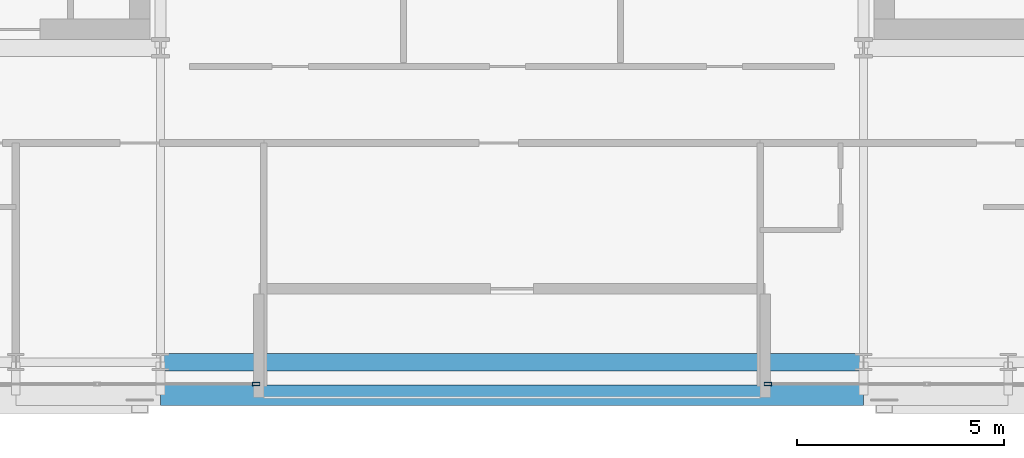
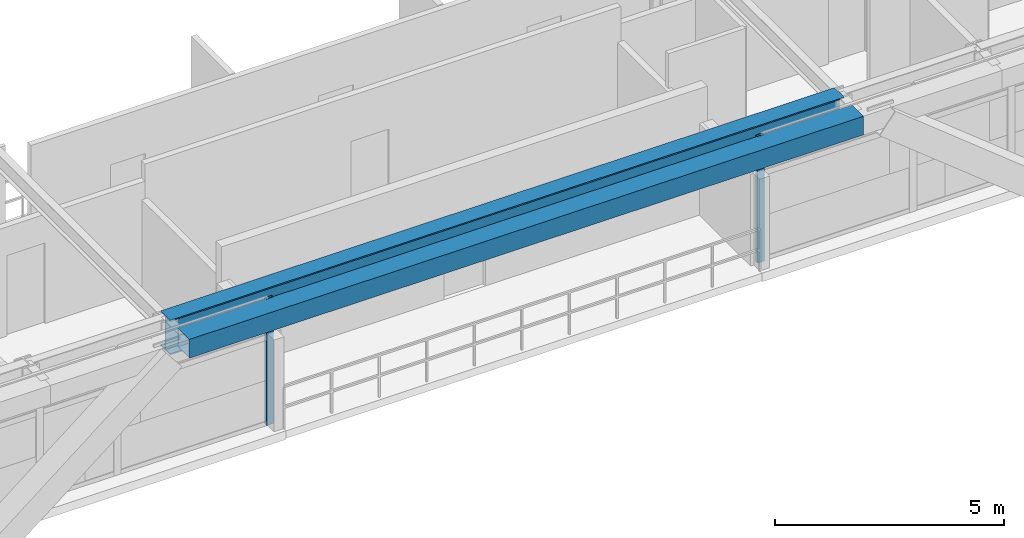
# One storey, part 6 of 32: 2 beams, 2 members, 2 elements without a shape of their own.
"""IFC4 building model written with IfcOpenShell, lengths in metres."""

from ifc_helpers import new_model, si_unit, direction, frame, origin, origin_2d, place, context, subcontext, project, spatial, hollow_rectangle, i_section, extrude, source, transform, mapped, material, layer, layer_set, material_profile, profile_set, type_object, element, aggregate, save


model = new_model("IFC4")

# Units and contexts
model_context = context("Model", 3, precision=1e-05, world=origin(), true_north=direction((0.0, 1.0)))
body_context = subcontext(model_context, "Body", "Model", "MODEL_VIEW")
ifc_project = project(units=[si_unit("LENGTHUNIT", "METRE"), si_unit("AREAUNIT", "SQUARE_METRE"), si_unit("VOLUMEUNIT", "CUBIC_METRE"), si_unit("PLANEANGLEUNIT", "RADIAN"), si_unit("MASSUNIT", "GRAM", prefix="KILO")], contexts=[model_context])

# Site, building, storey
site_placement = place(None, origin())
site = spatial("IfcSite", under=ifc_project, at=site_placement, CompositionType="ELEMENT")
building_placement = place(site_placement, origin())
building = spatial("IfcBuilding", under=site, at=building_placement, Name="Ocotamira Hotel", CompositionType="ELEMENT")
storey_placement = place(building_placement, frame((0.0, 0.0, 213.60009765625)))
storey = spatial("IfcBuildingStorey", under=building, at=storey_placement, Name="L54", CompositionType="ELEMENT", Elevation=213.60009765625)

# Beams
ifc_material_1 = material(Name="Steel ASTM A992 Grade 50", Category="steel")
ifc_material_profile_1 = material_profile(ifc_material_1, i_section(OverallWidth=0.41796875, OverallDepth=0.927001953125, WebThickness=0.019287109375, FlangeThickness=0.031982421875, FilletRadius=0.02392578125, at=origin_2d()), Name="W36X231")
ifc_profile_set_1 = profile_set([ifc_material_profile_1], Name="Steel ASTM A992 Grade 50")
beam_type_1 = type_object("IfcBeamType", Name="BM-GIRD-W36X231", PredefinedType="BEAM", material=ifc_profile_set_1)
shared_shape_1 = source(origin(), body_context, "Body", "SweptSolid", [
    extrude(i_section(OverallWidth=0.41796875, OverallDepth=0.927001953125, WebThickness=0.019287109375, FlangeThickness=0.031982421875, FilletRadius=0.02392578125, at=origin_2d()), origin(), (0.0, 0.0, 1.0), 17.0),
])
beam_1_placement = place(storey_placement, frame((23.5, 6.949951171875, 2.906494140625), z_axis=(1.0, 0.0, 0.0), x_axis=(0.0, 1.0, 0.0)))
element("IfcBeam", 1, at=beam_1_placement, inside=storey, type_object=beam_type_1, Name="L54 Girder Y6.95 X23.5-40.5", PredefinedType="BEAM", context=body_context, shape_type="MappedRepresentation", body=[
    mapped(shared_shape_1, transform((0.0, 0.0, 0.0), scale=1.0)),
])
ifc_material_2 = material(Name="Steel ASTM A500 Grade C", Category="steel")
ifc_material_profile_2 = material_profile(ifc_material_2, hollow_rectangle(XDim=0.5, YDim=0.5, WallThickness=0.02001953125, at=origin_2d()), Name="HSS500X500X20")
ifc_profile_set_2 = profile_set([ifc_material_profile_2], Name="Steel ASTM A500 Grade C")
beam_type_2 = type_object("IfcBeamType", Name="BM-SPAN-HSS500", PredefinedType="USERDEFINED", material=ifc_profile_set_2)
shared_shape_2 = source(origin(), body_context, "Body", "SweptSolid", [
    extrude(hollow_rectangle(XDim=0.5, YDim=0.5, WallThickness=0.02001953125, at=origin_2d()), origin(), (0.0, 0.0, 1.0), 17.0),
])
beam_2_placement = place(storey_placement, frame((23.5, 6.14990234375, 3.119873046875), z_axis=(1.0, 0.0, 0.0), x_axis=(0.0, 1.0, 0.0)))
element("IfcBeam", 2, at=beam_2_placement, inside=storey, type_object=beam_type_2, Name="L54 Edge Spandrel S X23.5-40.5", ObjectType="SPANDREL", PredefinedType="USERDEFINED", context=body_context, shape_type="MappedRepresentation", body=[
    mapped(shared_shape_2, transform((0.0, 0.0, 0.0), scale=1.0)),
])

# Curtain wall, member
ifc_material_3 = material(Name="Anodised pale-metal aluminium and solar glass", Category="aluminium")
ifc_layer = layer(ifc_material_3, 0.199951171875)
ifc_layer_set = layer_set([ifc_layer], Name="Anodised pale-metal aluminium and solar glass")
curtain_wall_type = type_object("IfcCurtainWallType", Name="CW-SYS4-Z3", PredefinedType="NOTDEFINED", material=ifc_layer_set)
curtain_wall_1_placement = place(storey_placement, origin())
curtain_wall_1 = element("IfcCurtainWall", 3, at=curtain_wall_1_placement, inside=storey, type_object=curtain_wall_type, Name="L54 Curtain Wall CW-4 CW-L54-S1", PredefinedType="NOTDEFINED")
ifc_material_4 = material(Name="Anodised pale-metal aluminium 6063-T6", Category="aluminium")
ifc_material_profile_3 = material_profile(ifc_material_4, hollow_rectangle(XDim=0.080078125, YDim=0.179931640625, WallThickness=0.006103515625, at=origin_2d()), Name="HSS180X80X6")
ifc_profile_set_3 = profile_set([ifc_material_profile_3], Name="Anodised pale-metal aluminium 6063-T6")
member_type = type_object("IfcMemberType", Name="CWM-180X75", PredefinedType="MULLION", material=ifc_profile_set_3)
shared_shape_3 = source(origin(), body_context, "Body", "SweptSolid", [
    extrude(hollow_rectangle(XDim=0.080078125, YDim=0.179931640625, WallThickness=0.006103515625, at=origin_2d()), origin(), (0.0, 0.0, 1.0), 3.369873046875),
])
member_1_placement = place(storey_placement, frame((25.81005859375, 6.419921875, 0.0), z_axis=(0.0, 0.0, 1.0), x_axis=(0.0, 1.0, 0.0)))
member_1 = element("IfcMember", 4, at=member_1_placement, type_object=member_type, Name="CW-4 mullion 4", PredefinedType="MULLION", context=body_context, shape_type="MappedRepresentation", body=[
    mapped(shared_shape_3, transform((0.0, 0.0, 0.0), scale=1.0)),
])
aggregate(curtain_wall_1, [member_1])

curtain_wall_2_placement = place(storey_placement, origin())
curtain_wall_2 = element("IfcCurtainWall", 5, at=curtain_wall_2_placement, inside=storey, type_object=curtain_wall_type, Name="L54 Curtain Wall CW-4 CW-L54-S2", PredefinedType="NOTDEFINED")
member_2_placement = place(storey_placement, frame((38.18994140625, 6.419921875, 0.0), z_axis=(0.0, 0.0, 1.0), x_axis=(0.0, 1.0, 0.0)))
member_2 = element("IfcMember", 6, at=member_2_placement, type_object=member_type, Name="CW-4 mullion 1", PredefinedType="MULLION", context=body_context, shape_type="MappedRepresentation", body=[
    mapped(shared_shape_3, transform((0.0, 0.0, 0.0), scale=1.0)),
])
aggregate(curtain_wall_2, [member_2])

save(model, "model.ifc")
